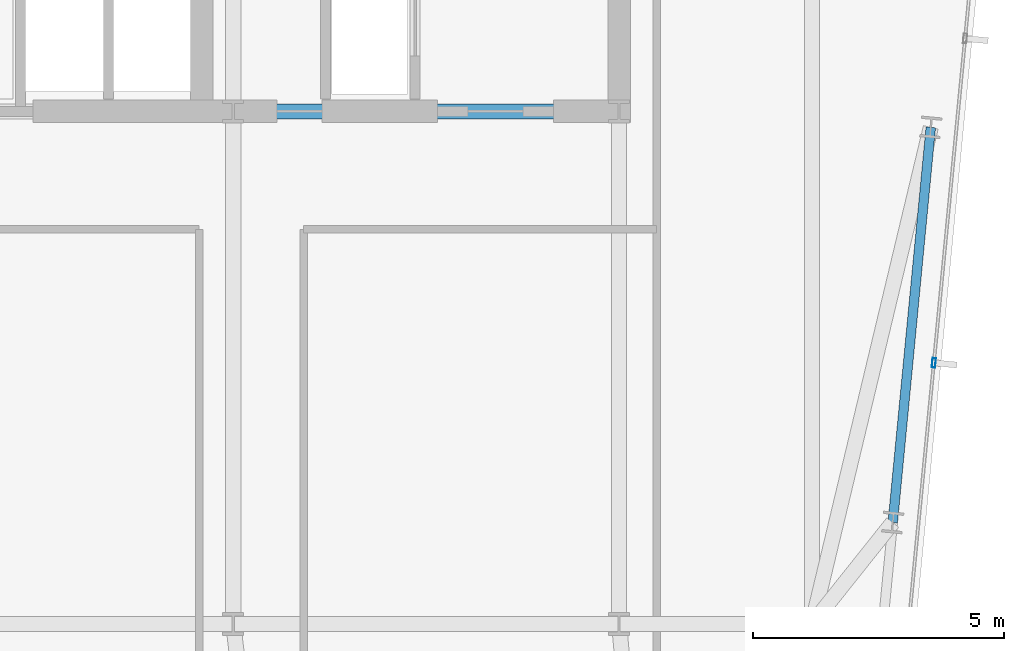
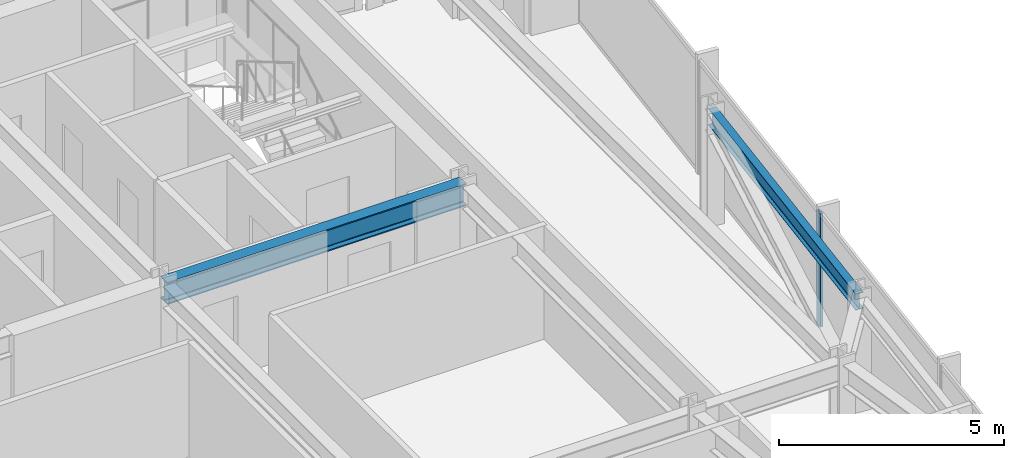
# One storey, part 18 of 37: 2 beams, 1 member, 1 element without a shape of its own.
"""IFC4 building model written with IfcOpenShell, lengths in metres."""

from ifc_helpers import new_model, si_unit, direction, frame, origin, origin_2d, place, context, subcontext, project, spatial, hollow_rectangle, i_section, extrude, material, material_profile, profile_set, type_object, element, aggregate, save


model = new_model("IFC4")

# Units and contexts
model_context = context("Model", 3, precision=1e-05, world=origin(), true_north=direction((0.0, 1.0)))
body_context = subcontext(model_context, "Body", "Model", "MODEL_VIEW")
ifc_project = project(units=[si_unit("LENGTHUNIT", "METRE"), si_unit("AREAUNIT", "SQUARE_METRE"), si_unit("VOLUMEUNIT", "CUBIC_METRE"), si_unit("PLANEANGLEUNIT", "RADIAN"), si_unit("MASSUNIT", "GRAM", prefix="KILO")], contexts=[model_context])

# Site, building, storey
site_placement = place(None, origin())
site = spatial("IfcSite", under=ifc_project, at=site_placement, CompositionType="ELEMENT")
building_placement = place(site_placement, origin())
building = spatial("IfcBuilding", under=site, at=building_placement, Name="Yelkora Congress Tower", CompositionType="ELEMENT")
storey_placement = place(building_placement, frame((0.0, 0.0, 165.5)))
storey = spatial("IfcBuildingStorey", under=building, at=storey_placement, Name="L45", CompositionType="ELEMENT", Elevation=165.5)

# Beams
ifc_material_1 = material(Name="Steel S355J2", Category="steel")
ifc_material_profile_1 = material_profile(ifc_material_1, i_section(OverallWidth=0.300048828125, OverallDepth=0.60009765625, WebThickness=0.015380859375, FlangeThickness=0.030029296875, FilletRadius=0.027099609375, at=origin_2d()), Name="HEB 600")
ifc_profile_set_1 = profile_set([ifc_material_profile_1], Name="Steel S355J2")
beam_type_1 = type_object("IfcBeamType", Name="BM-GIRD-HEB600", PredefinedType="BEAM", material=ifc_profile_set_1)
beam_1_placement = place(storey_placement, frame((46.080078125, 35.39990234375, 2.780029296875), z_axis=(1.0, 0.0, 0.0), x_axis=(0.0, 1.0, 0.0)))
element("IfcBeam", 1, at=beam_1_placement, inside=storey, type_object=beam_type_1, Name="L45 Core South Girder 4", PredefinedType="BEAM", context=body_context, shape_type="SweptSolid", body=[
    extrude(i_section(OverallWidth=0.300048828125, OverallDepth=0.60009765625, WebThickness=0.015380859375, FlangeThickness=0.030029296875, FilletRadius=0.027099609375, at=origin_2d()), origin(), (0.0, 0.0, 1.0), 7.679931640625),
])
ifc_material_profile_2 = material_profile(ifc_material_1, i_section(OverallWidth=0.18994140625, OverallDepth=0.449951171875, WebThickness=0.009521484375, FlangeThickness=0.0146484375, FilletRadius=0.02099609375, at=origin_2d()), Name="IPE 450")
ifc_profile_set_2 = profile_set([ifc_material_profile_2], Name="Steel S355J2")
beam_type_2 = type_object("IfcBeamType", Name="BM-SPAN-IPE450", PredefinedType="SPANDREL", material=ifc_profile_set_2)
beam_2_placement = place(storey_placement, frame((59.206298828125, 27.217529296875, 2.85498046875), z_axis=(0.095834301903, 0.99539730087, 0.0), x_axis=(-0.99539730087, 0.095834301903, 0.0)))
element("IfcBeam", 2, at=beam_2_placement, inside=storey, type_object=beam_type_2, Name="L45 Perimeter Beam 11", PredefinedType="SPANDREL", context=body_context, shape_type="SweptSolid", body=[
    extrude(i_section(OverallWidth=0.18994140625, OverallDepth=0.449951171875, WebThickness=0.009521484375, FlangeThickness=0.0146484375, FilletRadius=0.02099609375, at=origin_2d()), origin(), (0.0, 0.0, 1.0), 7.89990234375),
])

# Curtain wall, member
ifc_material_2 = material(Name="Anodised aluminium and insulated glass", Category="aluminium")
curtain_wall_type = type_object("IfcCurtainWallType", Name="CW-SYS-B3", PredefinedType="NOTDEFINED", material=ifc_material_2)
curtain_wall_placement = place(storey_placement, origin())
curtain_wall = element("IfcCurtainWall", 3, at=curtain_wall_placement, inside=storey, type_object=curtain_wall_type, Name="L45 Unitised Curtain Wall 15", PredefinedType="NOTDEFINED")
ifc_material_3 = material(Name="Anodised aluminium 6063-T6", Category="aluminium")
ifc_material_profile_3 = material_profile(ifc_material_3, hollow_rectangle(XDim=0.070068359375, YDim=0.18994140625, WallThickness=0.00390625, at=origin_2d()), Name="ALU 70x190x4")
ifc_profile_set_3 = profile_set([ifc_material_profile_3], Name="Anodised aluminium 6063-T6")
member_type = type_object("IfcMemberType", Name="MEM-ML-B3", PredefinedType="MULLION", material=ifc_profile_set_3)
member_placement = place(storey_placement, frame((60.024658203125, 30.395751953125, 0.0), z_axis=(0.0, 0.0, 1.0), x_axis=(0.995396565076, -0.095841944023, 0.0)))
member = element("IfcMember", 4, at=member_placement, type_object=member_type, Name="CW-B3 mullion 3", PredefinedType="MULLION", context=body_context, shape_type="SweptSolid", body=[
    extrude(hollow_rectangle(XDim=0.070068359375, YDim=0.18994140625, WallThickness=0.00390625, at=origin_2d()), origin(), (0.0, 0.0, 1.0), 3.080078125),
])
aggregate(curtain_wall, [member])

save(model, "model.ifc")
